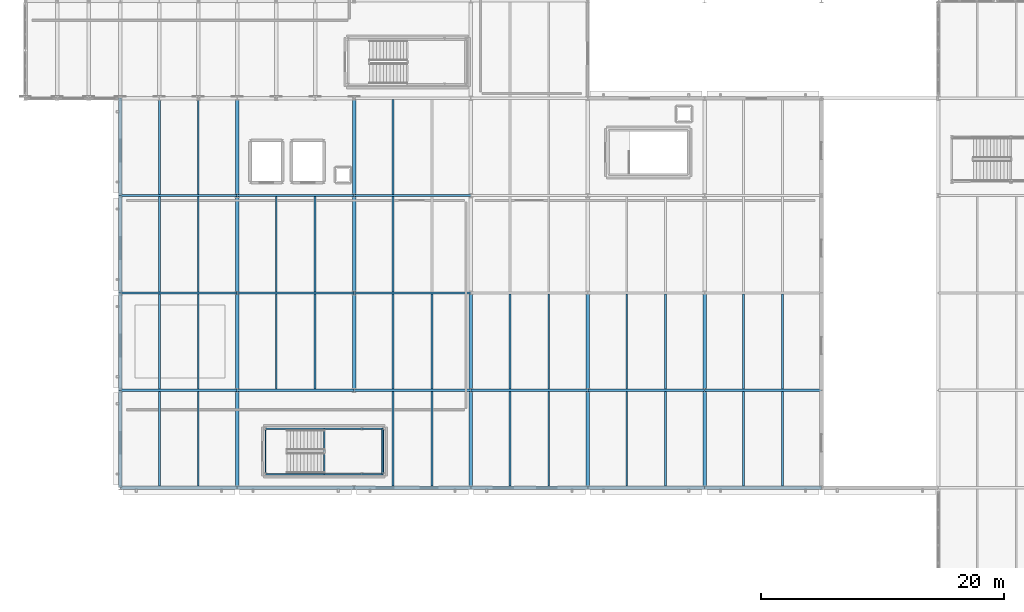
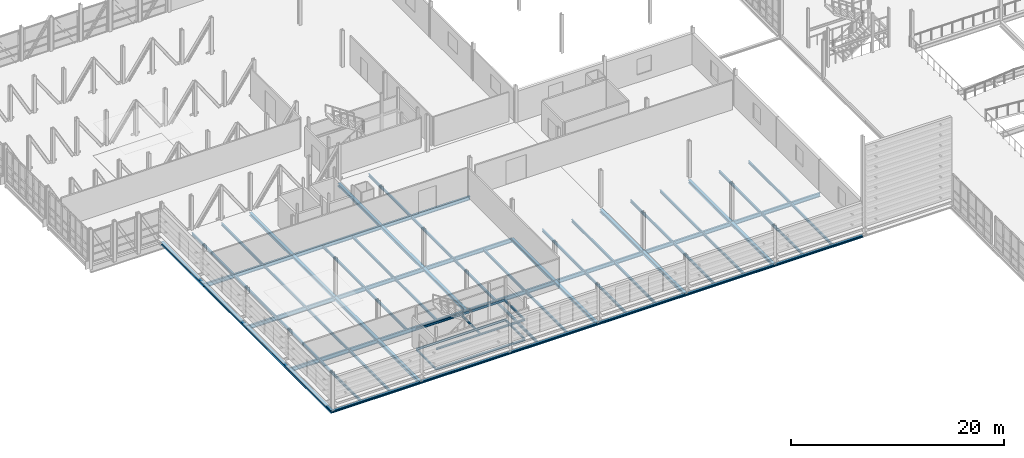
# One storey, part 18 of 73: 73 beams.
"""IFC4 building model written with IfcOpenShell, lengths in metres."""

from ifc_helpers import new_model, si_unit, direction, frame, origin, origin_2d, place, context, subcontext, project, spatial, i_section, extrude, material, material_profile, profile_set, type_object, element, save


model = new_model("IFC4")

# Units and contexts
model_context = context("Model", 3, precision=1e-05, world=origin(), true_north=direction((0.0, 1.0)))
body_context = subcontext(model_context, "Body", "Model", "MODEL_VIEW")
ifc_project = project(units=[si_unit("LENGTHUNIT", "METRE"), si_unit("AREAUNIT", "SQUARE_METRE"), si_unit("VOLUMEUNIT", "CUBIC_METRE"), si_unit("PLANEANGLEUNIT", "RADIAN"), si_unit("MASSUNIT", "GRAM", prefix="KILO")], contexts=[model_context])

# Site, building, storey
site_placement = place(None, origin())
site = spatial("IfcSite", under=ifc_project, at=site_placement, CompositionType="ELEMENT")
building_placement = place(site_placement, origin())
building = spatial("IfcBuilding", under=site, at=building_placement, Name="Alderhovde Museum", CompositionType="ELEMENT")
storey_placement = place(building_placement, frame((0.0, 0.0, 12.89990234375)))
storey = spatial("IfcBuildingStorey", under=building, at=storey_placement, Name="L03", CompositionType="ELEMENT", Elevation=12.89990234375)

# Beams
ifc_material_1 = material(Name="Steel S355J2", Category="steel")
ifc_material_profile_1 = material_profile(ifc_material_1, i_section(OverallWidth=0.300048828125, OverallDepth=0.330078125, WebThickness=0.009521484375, FlangeThickness=0.0166015625, FilletRadius=0.027099609375, at=origin_2d()), Name="HEA 340")
ifc_profile_set_1 = profile_set([ifc_material_profile_1], Name="Steel S355J2")
beam_type_1 = type_object("IfcBeamType", Name="BM-HEA340", PredefinedType="BEAM", material=ifc_profile_set_1)
for number, where, z_axis, x_axis, name in (
    (1, (9.60009765625, 48.0, -0.4248046875), (0.0, 1.0, 0.0), (-1.0, 0.0, 0.0), "L03 Grid Beam X=9.6 (48.0 TO 56.0)"),
    (2, (9.60009765625, 56.0, -0.4248046875), (0.0, 1.0, 0.0), (-1.0, 0.0, 0.0), "L03 Grid Beam X=9.6 (56.0 TO 64.0)"),
    (3, (9.60009765625, 64.0, -0.4248046875), (0.0, 1.0, 0.0), (-1.0, 0.0, 0.0), "L03 Grid Beam X=9.6 (64.0 TO 72.0)"),
    (4, (9.60009765625, 72.0, -0.4248046875), (0.0, 1.0, 0.0), (-1.0, 0.0, 0.0), "L03 Grid Beam X=9.6 (72.0 TO 80.0)"),
    (5, (19.199951171875, 48.0, -0.4248046875), (0.0, 1.0, 0.0), (-1.0, 0.0, 0.0), "L03 Grid Beam X=19.2 (48.0 TO 56.0)"),
    (6, (19.199951171875, 56.0, -0.4248046875), (0.0, 1.0, 0.0), (-1.0, 0.0, 0.0), "L03 Grid Beam X=19.2 (56.0 TO 64.0)"),
    (7, (19.199951171875, 64.0, -0.4248046875), (0.0, 1.0, 0.0), (-1.0, 0.0, 0.0), "L03 Grid Beam X=19.2 (64.0 TO 72.0)"),
    (8, (19.199951171875, 72.0, -0.4248046875), (0.0, 1.0, 0.0), (-1.0, 0.0, 0.0), "L03 Grid Beam X=19.2 (72.0 TO 80.0)"),
    (9, (28.800048828125, 56.0, -0.4248046875), (0.0, 1.0, 0.0), (-1.0, 0.0, 0.0), "L03 Grid Beam X=28.8 (56.0 TO 64.0)"),
    (10, (28.800048828125, 64.0, -0.4248046875), (0.0, 1.0, 0.0), (-1.0, 0.0, 0.0), "L03 Grid Beam X=28.8 (64.0 TO 72.0)"),
    (11, (28.800048828125, 72.0, -0.4248046875), (0.0, 1.0, 0.0), (-1.0, 0.0, 0.0), "L03 Grid Beam X=28.8 (72.0 TO 80.0)"),
    (12, (38.39990234375, 48.0, -0.4248046875), (0.0, 1.0, 0.0), (-1.0, 0.0, 0.0), "L03 Grid Beam X=38.4 (48.0 TO 56.0)"),
    (13, (38.39990234375, 56.0, -0.4248046875), (0.0, 1.0, 0.0), (-1.0, 0.0, 0.0), "L03 Grid Beam X=38.4 (56.0 TO 64.0)"),
    (14, (48.0, 48.0, -0.4248046875), (0.0, 1.0, 0.0), (-1.0, 0.0, 0.0), "L03 Grid Beam X=48.0 (48.0 TO 56.0)"),
    (15, (48.0, 56.0, -0.4248046875), (0.0, 1.0, 0.0), (-1.0, 0.0, 0.0), "L03 Grid Beam X=48.0 (56.0 TO 64.0)"),
    (16, (57.60009765625, 48.0, -0.4248046875), (0.0, 1.0, 0.0), (-1.0, 0.0, 0.0), "L03 Grid Beam X=57.6 (48.0 TO 56.0)"),
    (17, (57.60009765625, 56.0, -0.4248046875), (0.0, 1.0, 0.0), (-1.0, 0.0, 0.0), "L03 Grid Beam X=57.6 (56.0 TO 64.0)"),
):
    element("IfcBeam", number, at=place(storey_placement, frame(where, z_axis=z_axis, x_axis=x_axis)), inside=storey, type_object=beam_type_1, Name=name, PredefinedType="BEAM", context=body_context, shape_type="SweptSolid", body=[
        extrude(i_section(OverallWidth=0.300048828125, OverallDepth=0.330078125, WebThickness=0.009521484375, FlangeThickness=0.0166015625, FilletRadius=0.027099609375, at=origin_2d()), origin(), (0.0, 0.0, 1.0), 8.0),
    ])
ifc_material_2 = material(Name="Steel S355J2", Category="steel")
ifc_material_profile_2 = material_profile(ifc_material_2, i_section(OverallWidth=0.1201171875, OverallDepth=0.239990234375, WebThickness=0.006103515625, FlangeThickness=0.009765625, FilletRadius=0.014892578125, at=origin_2d()), Name="IPE 240")
ifc_profile_set_2 = profile_set([ifc_material_profile_2], Name="Steel S355J2")
beam_type_2 = type_object("IfcBeamType", Name="BM-IPE240", PredefinedType="BEAM", material=ifc_profile_set_2)
for number, where, z_axis, x_axis, name in (
    (18, (21.52001953125, 49.1201171875, -0.3798828125), (1.0, 0.0, 0.0), (0.0, 1.0, 0.0), "L03 Stair ST1 Floor Trimmer S"),
    (19, (21.52001953125, 52.840087890625, -0.3798828125), (1.0, 0.0, 0.0), (0.0, 1.0, 0.0), "L03 Stair ST1 Floor Trimmer N"),
):
    element("IfcBeam", number, at=place(storey_placement, frame(where, z_axis=z_axis, x_axis=x_axis)), inside=storey, type_object=beam_type_2, Name=name, PredefinedType="BEAM", context=body_context, shape_type="SweptSolid", body=[
        extrude(i_section(OverallWidth=0.1201171875, OverallDepth=0.239990234375, WebThickness=0.006103515625, FlangeThickness=0.009765625, FilletRadius=0.014892578125, at=origin_2d()), origin(), (0.0, 0.0, 1.0), 9.679931640625),
    ])
for number, where, z_axis, x_axis, name in (
    (20, (21.52001953125, 49.1201171875, -0.3798828125), (0.0, 1.0, 0.0), (-1.0, 0.0, 0.0), "L03 Stair ST1 Floor Trimmer W"),
    (21, (31.199951171875, 49.1201171875, -0.3798828125), (0.0, 1.0, 0.0), (-1.0, 0.0, 0.0), "L03 Stair ST1 Floor Trimmer E"),
):
    element("IfcBeam", number, at=place(storey_placement, frame(where, z_axis=z_axis, x_axis=x_axis)), inside=storey, type_object=beam_type_2, Name=name, PredefinedType="BEAM", context=body_context, shape_type="SweptSolid", body=[
        extrude(i_section(OverallWidth=0.1201171875, OverallDepth=0.239990234375, WebThickness=0.006103515625, FlangeThickness=0.009765625, FilletRadius=0.014892578125, at=origin_2d()), origin(), (0.0, 0.0, 1.0), 3.719970703125),
    ])
for number, where, z_axis, x_axis, name in (
    (22, (21.52001953125, 49.1201171875, 1.93017578125), (1.0, 0.0, 0.0), (0.0, 1.0, 0.0), "L03 Stair ST1 Landing 1 Beam S"),
    (23, (21.52001953125, 52.840087890625, 1.93017578125), (1.0, 0.0, 0.0), (0.0, 1.0, 0.0), "L03 Stair ST1 Landing 1 Beam N"),
):
    element("IfcBeam", number, at=place(storey_placement, frame(where, z_axis=z_axis, x_axis=x_axis)), inside=storey, type_object=beam_type_2, Name=name, PredefinedType="BEAM", context=body_context, shape_type="SweptSolid", body=[
        extrude(i_section(OverallWidth=0.1201171875, OverallDepth=0.239990234375, WebThickness=0.006103515625, FlangeThickness=0.009765625, FilletRadius=0.014892578125, at=origin_2d()), origin(), (0.0, 0.0, 1.0), 9.679931640625),
    ])
for number, where, z_axis, x_axis, name in (
    (24, (26.360107421875, 49.1201171875, 1.93017578125), (0.0, 1.0, 0.0), (-1.0, 0.0, 0.0), "L03 Stair ST1 Landing 1 Beam W"),
    (25, (31.1201171875, 49.1201171875, 1.93017578125), (0.0, 1.0, 0.0), (-1.0, 0.0, 0.0), "L03 Stair ST1 Landing 1 Beam E"),
):
    element("IfcBeam", number, at=place(storey_placement, frame(where, z_axis=z_axis, x_axis=x_axis)), inside=storey, type_object=beam_type_2, Name=name, PredefinedType="BEAM", context=body_context, shape_type="SweptSolid", body=[
        extrude(i_section(OverallWidth=0.1201171875, OverallDepth=0.239990234375, WebThickness=0.006103515625, FlangeThickness=0.009765625, FilletRadius=0.014892578125, at=origin_2d()), origin(), (0.0, 0.0, 1.0), 3.719970703125),
    ])
ifc_material_3 = material(Name="Steel S355J2", Category="steel")
ifc_material_profile_3 = material_profile(ifc_material_3, i_section(OverallWidth=0.18994140625, OverallDepth=0.449951171875, WebThickness=0.009521484375, FlangeThickness=0.0146484375, FilletRadius=0.02099609375, at=origin_2d()), Name="IPE 450")
ifc_profile_set_3 = profile_set([ifc_material_profile_3], Name="Steel S355J2")
beam_type_3 = type_object("IfcBeamType", Name="BM-IPE450", PredefinedType="BEAM", material=ifc_profile_set_3)
beam_1_placement = place(storey_placement, frame((9.60009765625, 56.0, -0.48486328125), z_axis=(1.0, 0.0, 0.0), x_axis=(0.0, 1.0, 0.0)))
element("IfcBeam", 26, at=beam_1_placement, inside=storey, type_object=beam_type_3, Name="L03 Grid Beam Y=56.0 (9.6 TO 19.2)", PredefinedType="BEAM", context=body_context, shape_type="SweptSolid", body=[
    extrude(i_section(OverallWidth=0.18994140625, OverallDepth=0.449951171875, WebThickness=0.009521484375, FlangeThickness=0.0146484375, FilletRadius=0.02099609375, at=origin_2d()), origin(), (0.0, 0.0, 1.0), 9.599853515625),
])
beam_2_placement = place(storey_placement, frame((19.199951171875, 56.0, -0.48486328125), z_axis=(1.0, 0.0, 0.0), x_axis=(0.0, 1.0, 0.0)))
element("IfcBeam", 27, at=beam_2_placement, inside=storey, type_object=beam_type_3, Name="L03 Grid Beam Y=56.0 (19.2 TO 28.8)", PredefinedType="BEAM", context=body_context, shape_type="SweptSolid", body=[
    extrude(i_section(OverallWidth=0.18994140625, OverallDepth=0.449951171875, WebThickness=0.009521484375, FlangeThickness=0.0146484375, FilletRadius=0.02099609375, at=origin_2d()), origin(), (0.0, 0.0, 1.0), 9.60009765625),
])
beam_3_placement = place(storey_placement, frame((28.800048828125, 56.0, -0.48486328125), z_axis=(1.0, 0.0, 0.0), x_axis=(0.0, 1.0, 0.0)))
element("IfcBeam", 28, at=beam_3_placement, inside=storey, type_object=beam_type_3, Name="L03 Grid Beam Y=56.0 (28.8 TO 38.4)", PredefinedType="BEAM", context=body_context, shape_type="SweptSolid", body=[
    extrude(i_section(OverallWidth=0.18994140625, OverallDepth=0.449951171875, WebThickness=0.009521484375, FlangeThickness=0.0146484375, FilletRadius=0.02099609375, at=origin_2d()), origin(), (0.0, 0.0, 1.0), 9.599853515625),
])
for number, where, z_axis, x_axis, name in (
    (29, (38.39990234375, 56.0, -0.48486328125), (1.0, 0.0, 0.0), (0.0, 1.0, 0.0), "L03 Grid Beam Y=56.0 (38.4 TO 48.0)"),
    (30, (48.0, 56.0, -0.48486328125), (1.0, 0.0, 0.0), (0.0, 1.0, 0.0), "L03 Grid Beam Y=56.0 (48.0 TO 57.6)"),
):
    element("IfcBeam", number, at=place(storey_placement, frame(where, z_axis=z_axis, x_axis=x_axis)), inside=storey, type_object=beam_type_3, Name=name, PredefinedType="BEAM", context=body_context, shape_type="SweptSolid", body=[
        extrude(i_section(OverallWidth=0.18994140625, OverallDepth=0.449951171875, WebThickness=0.009521484375, FlangeThickness=0.0146484375, FilletRadius=0.02099609375, at=origin_2d()), origin(), (0.0, 0.0, 1.0), 9.60009765625),
    ])
for number, where, z_axis, x_axis, name in (
    (31, (57.60009765625, 56.0, -0.48486328125), (1.0, 0.0, 0.0), (0.0, 1.0, 0.0), "L03 Grid Beam Y=56.0 (57.6 TO 67.2)"),
    (32, (9.60009765625, 64.0, -0.48486328125), (1.0, 0.0, 0.0), (0.0, 1.0, 0.0), "L03 Grid Beam Y=64.0 (9.6 TO 19.2)"),
):
    element("IfcBeam", number, at=place(storey_placement, frame(where, z_axis=z_axis, x_axis=x_axis)), inside=storey, type_object=beam_type_3, Name=name, PredefinedType="BEAM", context=body_context, shape_type="SweptSolid", body=[
        extrude(i_section(OverallWidth=0.18994140625, OverallDepth=0.449951171875, WebThickness=0.009521484375, FlangeThickness=0.0146484375, FilletRadius=0.02099609375, at=origin_2d()), origin(), (0.0, 0.0, 1.0), 9.599853515625),
    ])
beam_4_placement = place(storey_placement, frame((19.199951171875, 64.0, -0.48486328125), z_axis=(1.0, 0.0, 0.0), x_axis=(0.0, 1.0, 0.0)))
element("IfcBeam", 33, at=beam_4_placement, inside=storey, type_object=beam_type_3, Name="L03 Grid Beam Y=64.0 (19.2 TO 28.8)", PredefinedType="BEAM", context=body_context, shape_type="SweptSolid", body=[
    extrude(i_section(OverallWidth=0.18994140625, OverallDepth=0.449951171875, WebThickness=0.009521484375, FlangeThickness=0.0146484375, FilletRadius=0.02099609375, at=origin_2d()), origin(), (0.0, 0.0, 1.0), 9.60009765625),
])
for number, where, z_axis, x_axis, name in (
    (34, (28.800048828125, 64.0, -0.48486328125), (1.0, 0.0, 0.0), (0.0, 1.0, 0.0), "L03 Grid Beam Y=64.0 (28.8 TO 38.4)"),
    (35, (9.60009765625, 72.0, -0.48486328125), (1.0, 0.0, 0.0), (0.0, 1.0, 0.0), "L03 Grid Beam Y=72.0 (9.6 TO 19.2)"),
):
    element("IfcBeam", number, at=place(storey_placement, frame(where, z_axis=z_axis, x_axis=x_axis)), inside=storey, type_object=beam_type_3, Name=name, PredefinedType="BEAM", context=body_context, shape_type="SweptSolid", body=[
        extrude(i_section(OverallWidth=0.18994140625, OverallDepth=0.449951171875, WebThickness=0.009521484375, FlangeThickness=0.0146484375, FilletRadius=0.02099609375, at=origin_2d()), origin(), (0.0, 0.0, 1.0), 9.599853515625),
    ])
beam_5_placement = place(storey_placement, frame((19.199951171875, 72.0, -0.48486328125), z_axis=(1.0, 0.0, 0.0), x_axis=(0.0, 1.0, 0.0)))
element("IfcBeam", 36, at=beam_5_placement, inside=storey, type_object=beam_type_3, Name="L03 Grid Beam Y=72.0 (19.2 TO 28.8)", PredefinedType="BEAM", context=body_context, shape_type="SweptSolid", body=[
    extrude(i_section(OverallWidth=0.18994140625, OverallDepth=0.449951171875, WebThickness=0.009521484375, FlangeThickness=0.0146484375, FilletRadius=0.02099609375, at=origin_2d()), origin(), (0.0, 0.0, 1.0), 9.60009765625),
])
beam_6_placement = place(storey_placement, frame((28.800048828125, 72.0, -0.48486328125), z_axis=(1.0, 0.0, 0.0), x_axis=(0.0, 1.0, 0.0)))
element("IfcBeam", 37, at=beam_6_placement, inside=storey, type_object=beam_type_3, Name="L03 Grid Beam Y=72.0 (28.8 TO 38.4)", PredefinedType="BEAM", context=body_context, shape_type="SweptSolid", body=[
    extrude(i_section(OverallWidth=0.18994140625, OverallDepth=0.449951171875, WebThickness=0.009521484375, FlangeThickness=0.0146484375, FilletRadius=0.02099609375, at=origin_2d()), origin(), (0.0, 0.0, 1.0), 9.599853515625),
])
ifc_material_4 = material(Name="Steel S355J2", Category="steel")
ifc_material_profile_4 = material_profile(ifc_material_4, i_section(OverallWidth=0.14990234375, OverallDepth=0.300048828125, WebThickness=0.007080078125, FlangeThickness=0.0107421875, FilletRadius=0.014892578125, at=origin_2d()), Name="IPE 300")
ifc_profile_set_4 = profile_set([ifc_material_profile_4], Name="Steel S355J2")
beam_type_4 = type_object("IfcBeamType", Name="JST-IPE300", PredefinedType="JOIST", material=ifc_profile_set_4)
for number, where, z_axis, x_axis, name in (
    (38, (12.800048828125, 48.1298828125, -0.409912109375), (0.0, 1.0, 0.0), (-1.0, 0.0, 0.0), "L03 Composite Joist X=12.8 (48.0 TO 56.0)"),
    (39, (16.0, 48.1298828125, -0.409912109375), (0.0, 1.0, 0.0), (-1.0, 0.0, 0.0), "L03 Composite Joist X=16.0 (48.0 TO 56.0)"),
):
    element("IfcBeam", number, at=place(storey_placement, frame(where, z_axis=z_axis, x_axis=x_axis)), inside=storey, type_object=beam_type_4, Name=name, PredefinedType="JOIST", context=body_context, shape_type="SweptSolid", body=[
        extrude(i_section(OverallWidth=0.14990234375, OverallDepth=0.300048828125, WebThickness=0.007080078125, FlangeThickness=0.0107421875, FilletRadius=0.014892578125, at=origin_2d()), origin(), (0.0, 0.0, 1.0), 7.775146484375),
    ])
for number, where, z_axis, x_axis, name in (
    (40, (12.800048828125, 56.094970703125, -0.409912109375), (0.0, 1.0, 0.0), (-1.0, 0.0, 0.0), "L03 Composite Joist X=12.8 (56.0 TO 64.0)"),
    (41, (16.0, 56.094970703125, -0.409912109375), (0.0, 1.0, 0.0), (-1.0, 0.0, 0.0), "L03 Composite Joist X=16.0 (56.0 TO 64.0)"),
    (42, (12.800048828125, 64.094970703125, -0.409912109375), (0.0, 1.0, 0.0), (-1.0, 0.0, 0.0), "L03 Composite Joist X=12.8 (64.0 TO 72.0)"),
    (43, (16.0, 64.094970703125, -0.409912109375), (0.0, 1.0, 0.0), (-1.0, 0.0, 0.0), "L03 Composite Joist X=16.0 (64.0 TO 72.0)"),
):
    element("IfcBeam", number, at=place(storey_placement, frame(where, z_axis=z_axis, x_axis=x_axis)), inside=storey, type_object=beam_type_4, Name=name, PredefinedType="JOIST", context=body_context, shape_type="SweptSolid", body=[
        extrude(i_section(OverallWidth=0.14990234375, OverallDepth=0.300048828125, WebThickness=0.007080078125, FlangeThickness=0.0107421875, FilletRadius=0.014892578125, at=origin_2d()), origin(), (0.0, 0.0, 1.0), 7.81005859375),
    ])
for number, where, z_axis, x_axis, name in (
    (44, (12.800048828125, 72.094970703125, -0.409912109375), (0.0, 1.0, 0.0), (-1.0, 0.0, 0.0), "L03 Composite Joist X=12.8 (72.0 TO 80.0)"),
    (45, (16.0, 72.094970703125, -0.409912109375), (0.0, 1.0, 0.0), (-1.0, 0.0, 0.0), "L03 Composite Joist X=16.0 (72.0 TO 80.0)"),
):
    element("IfcBeam", number, at=place(storey_placement, frame(where, z_axis=z_axis, x_axis=x_axis)), inside=storey, type_object=beam_type_4, Name=name, PredefinedType="JOIST", context=body_context, shape_type="SweptSolid", body=[
        extrude(i_section(OverallWidth=0.14990234375, OverallDepth=0.300048828125, WebThickness=0.007080078125, FlangeThickness=0.0107421875, FilletRadius=0.014892578125, at=origin_2d()), origin(), (0.0, 0.0, 1.0), 7.755126953125),
    ])
for number, where, z_axis, x_axis, name in (
    (46, (22.39990234375, 56.094970703125, -0.409912109375), (0.0, 1.0, 0.0), (-1.0, 0.0, 0.0), "L03 Composite Joist X=22.4 (56.0 TO 64.0)"),
    (47, (25.60009765625, 56.094970703125, -0.409912109375), (0.0, 1.0, 0.0), (-1.0, 0.0, 0.0), "L03 Composite Joist X=25.6 (56.0 TO 64.0)"),
    (48, (22.39990234375, 64.094970703125, -0.409912109375), (0.0, 1.0, 0.0), (-1.0, 0.0, 0.0), "L03 Composite Joist X=22.4 (64.0 TO 72.0)"),
    (49, (25.60009765625, 64.094970703125, -0.409912109375), (0.0, 1.0, 0.0), (-1.0, 0.0, 0.0), "L03 Composite Joist X=25.6 (64.0 TO 72.0)"),
):
    element("IfcBeam", number, at=place(storey_placement, frame(where, z_axis=z_axis, x_axis=x_axis)), inside=storey, type_object=beam_type_4, Name=name, PredefinedType="JOIST", context=body_context, shape_type="SweptSolid", body=[
        extrude(i_section(OverallWidth=0.14990234375, OverallDepth=0.300048828125, WebThickness=0.007080078125, FlangeThickness=0.0107421875, FilletRadius=0.014892578125, at=origin_2d()), origin(), (0.0, 0.0, 1.0), 7.81005859375),
    ])
for number, where, z_axis, x_axis, name in (
    (50, (32.0, 48.1298828125, -0.409912109375), (0.0, 1.0, 0.0), (-1.0, 0.0, 0.0), "L03 Composite Joist X=32.0 (48.0 TO 56.0)"),
    (51, (35.199951171875, 48.1298828125, -0.409912109375), (0.0, 1.0, 0.0), (-1.0, 0.0, 0.0), "L03 Composite Joist X=35.2 (48.0 TO 56.0)"),
):
    element("IfcBeam", number, at=place(storey_placement, frame(where, z_axis=z_axis, x_axis=x_axis)), inside=storey, type_object=beam_type_4, Name=name, PredefinedType="JOIST", context=body_context, shape_type="SweptSolid", body=[
        extrude(i_section(OverallWidth=0.14990234375, OverallDepth=0.300048828125, WebThickness=0.007080078125, FlangeThickness=0.0107421875, FilletRadius=0.014892578125, at=origin_2d()), origin(), (0.0, 0.0, 1.0), 7.775146484375),
    ])
for number, where, z_axis, x_axis, name in (
    (52, (32.0, 56.094970703125, -0.409912109375), (0.0, 1.0, 0.0), (-1.0, 0.0, 0.0), "L03 Composite Joist X=32.0 (56.0 TO 64.0)"),
    (53, (35.199951171875, 56.094970703125, -0.409912109375), (0.0, 1.0, 0.0), (-1.0, 0.0, 0.0), "L03 Composite Joist X=35.2 (56.0 TO 64.0)"),
    (54, (32.0, 64.094970703125, -0.409912109375), (0.0, 1.0, 0.0), (-1.0, 0.0, 0.0), "L03 Composite Joist X=32.0 (64.0 TO 72.0)"),
    (55, (32.0, 72.094970703125, -0.409912109375), (0.0, 1.0, 0.0), (-1.0, 0.0, 0.0), "L03 Composite Joist X=32.0 (72.0 TO 80.0)"),
):
    element("IfcBeam", number, at=place(storey_placement, frame(where, z_axis=z_axis, x_axis=x_axis)), inside=storey, type_object=beam_type_4, Name=name, PredefinedType="JOIST", context=body_context, shape_type="SweptSolid", body=[
        extrude(i_section(OverallWidth=0.14990234375, OverallDepth=0.300048828125, WebThickness=0.007080078125, FlangeThickness=0.0107421875, FilletRadius=0.014892578125, at=origin_2d()), origin(), (0.0, 0.0, 1.0), 7.81005859375),
    ])
for number, where, z_axis, x_axis, name in (
    (56, (41.60009765625, 48.1298828125, -0.409912109375), (0.0, 1.0, 0.0), (-1.0, 0.0, 0.0), "L03 Composite Joist X=41.6 (48.0 TO 56.0)"),
    (57, (44.800048828125, 48.1298828125, -0.409912109375), (0.0, 1.0, 0.0), (-1.0, 0.0, 0.0), "L03 Composite Joist X=44.8 (48.0 TO 56.0)"),
):
    element("IfcBeam", number, at=place(storey_placement, frame(where, z_axis=z_axis, x_axis=x_axis)), inside=storey, type_object=beam_type_4, Name=name, PredefinedType="JOIST", context=body_context, shape_type="SweptSolid", body=[
        extrude(i_section(OverallWidth=0.14990234375, OverallDepth=0.300048828125, WebThickness=0.007080078125, FlangeThickness=0.0107421875, FilletRadius=0.014892578125, at=origin_2d()), origin(), (0.0, 0.0, 1.0), 7.775146484375),
    ])
for number, where, z_axis, x_axis, name in (
    (58, (41.60009765625, 56.094970703125, -0.409912109375), (0.0, 1.0, 0.0), (-1.0, 0.0, 0.0), "L03 Composite Joist X=41.6 (56.0 TO 64.0)"),
    (59, (44.800048828125, 56.094970703125, -0.409912109375), (0.0, 1.0, 0.0), (-1.0, 0.0, 0.0), "L03 Composite Joist X=44.8 (56.0 TO 64.0)"),
):
    element("IfcBeam", number, at=place(storey_placement, frame(where, z_axis=z_axis, x_axis=x_axis)), inside=storey, type_object=beam_type_4, Name=name, PredefinedType="JOIST", context=body_context, shape_type="SweptSolid", body=[
        extrude(i_section(OverallWidth=0.14990234375, OverallDepth=0.300048828125, WebThickness=0.007080078125, FlangeThickness=0.0107421875, FilletRadius=0.014892578125, at=origin_2d()), origin(), (0.0, 0.0, 1.0), 7.81005859375),
    ])
for number, where, z_axis, x_axis, name in (
    (60, (51.199951171875, 48.1298828125, -0.409912109375), (0.0, 1.0, 0.0), (-1.0, 0.0, 0.0), "L03 Composite Joist X=51.2 (48.0 TO 56.0)"),
    (61, (54.39990234375, 48.1298828125, -0.409912109375), (0.0, 1.0, 0.0), (-1.0, 0.0, 0.0), "L03 Composite Joist X=54.4 (48.0 TO 56.0)"),
):
    element("IfcBeam", number, at=place(storey_placement, frame(where, z_axis=z_axis, x_axis=x_axis)), inside=storey, type_object=beam_type_4, Name=name, PredefinedType="JOIST", context=body_context, shape_type="SweptSolid", body=[
        extrude(i_section(OverallWidth=0.14990234375, OverallDepth=0.300048828125, WebThickness=0.007080078125, FlangeThickness=0.0107421875, FilletRadius=0.014892578125, at=origin_2d()), origin(), (0.0, 0.0, 1.0), 7.775146484375),
    ])
for number, where, z_axis, x_axis, name in (
    (62, (51.199951171875, 56.094970703125, -0.409912109375), (0.0, 1.0, 0.0), (-1.0, 0.0, 0.0), "L03 Composite Joist X=51.2 (56.0 TO 64.0)"),
    (63, (54.39990234375, 56.094970703125, -0.409912109375), (0.0, 1.0, 0.0), (-1.0, 0.0, 0.0), "L03 Composite Joist X=54.4 (56.0 TO 64.0)"),
):
    element("IfcBeam", number, at=place(storey_placement, frame(where, z_axis=z_axis, x_axis=x_axis)), inside=storey, type_object=beam_type_4, Name=name, PredefinedType="JOIST", context=body_context, shape_type="SweptSolid", body=[
        extrude(i_section(OverallWidth=0.14990234375, OverallDepth=0.300048828125, WebThickness=0.007080078125, FlangeThickness=0.0107421875, FilletRadius=0.014892578125, at=origin_2d()), origin(), (0.0, 0.0, 1.0), 7.81005859375),
    ])
for number, where, z_axis, x_axis, name in (
    (64, (60.800048828125, 48.1298828125, -0.409912109375), (0.0, 1.0, 0.0), (-1.0, 0.0, 0.0), "L03 Composite Joist X=60.8 (48.0 TO 56.0)"),
    (65, (64.0, 48.1298828125, -0.409912109375), (0.0, 1.0, 0.0), (-1.0, 0.0, 0.0), "L03 Composite Joist X=64.0 (48.0 TO 56.0)"),
):
    element("IfcBeam", number, at=place(storey_placement, frame(where, z_axis=z_axis, x_axis=x_axis)), inside=storey, type_object=beam_type_4, Name=name, PredefinedType="JOIST", context=body_context, shape_type="SweptSolid", body=[
        extrude(i_section(OverallWidth=0.14990234375, OverallDepth=0.300048828125, WebThickness=0.007080078125, FlangeThickness=0.0107421875, FilletRadius=0.014892578125, at=origin_2d()), origin(), (0.0, 0.0, 1.0), 7.775146484375),
    ])
for number, where, z_axis, x_axis, name in (
    (66, (60.800048828125, 56.094970703125, -0.409912109375), (0.0, 1.0, 0.0), (-1.0, 0.0, 0.0), "L03 Composite Joist X=60.8 (56.0 TO 64.0)"),
    (67, (64.0, 56.094970703125, -0.409912109375), (0.0, 1.0, 0.0), (-1.0, 0.0, 0.0), "L03 Composite Joist X=64.0 (56.0 TO 64.0)"),
):
    element("IfcBeam", number, at=place(storey_placement, frame(where, z_axis=z_axis, x_axis=x_axis)), inside=storey, type_object=beam_type_4, Name=name, PredefinedType="JOIST", context=body_context, shape_type="SweptSolid", body=[
        extrude(i_section(OverallWidth=0.14990234375, OverallDepth=0.300048828125, WebThickness=0.007080078125, FlangeThickness=0.0107421875, FilletRadius=0.014892578125, at=origin_2d()), origin(), (0.0, 0.0, 1.0), 7.81005859375),
    ])
ifc_material_5 = material(Name="Steel S355J2", Category="steel")
ifc_material_profile_5 = material_profile(ifc_material_5, i_section(OverallWidth=0.260009765625, OverallDepth=0.25, WebThickness=0.007568359375, FlangeThickness=0.012451171875, FilletRadius=0.02392578125, at=origin_2d()), Name="HEA 260")
ifc_profile_set_5 = profile_set([ifc_material_profile_5], Name="Steel S355J2")
beam_type_5 = type_object("IfcBeamType", Name="SPD-HEA260", PredefinedType="SPANDREL", material=ifc_profile_set_5)
beam_7_placement = place(storey_placement, frame((9.60009765625, 48.0, -0.385009765625), z_axis=(1.0, 0.0, 0.0), x_axis=(0.0, 1.0, 0.0)))
element("IfcBeam", 68, at=beam_7_placement, inside=storey, type_object=beam_type_5, Name="L03 Grid Beam Y=48.0 (9.6 TO 19.2)", PredefinedType="SPANDREL", context=body_context, shape_type="SweptSolid", body=[
    extrude(i_section(OverallWidth=0.260009765625, OverallDepth=0.25, WebThickness=0.007568359375, FlangeThickness=0.012451171875, FilletRadius=0.02392578125, at=origin_2d()), origin(), (0.0, 0.0, 1.0), 9.599853515625),
])
beam_8_placement = place(storey_placement, frame((19.199951171875, 48.0, -0.385009765625), z_axis=(1.0, 0.0, 0.0), x_axis=(0.0, 1.0, 0.0)))
element("IfcBeam", 69, at=beam_8_placement, inside=storey, type_object=beam_type_5, Name="L03 Grid Beam Y=48.0 (19.2 TO 28.8)", PredefinedType="SPANDREL", context=body_context, shape_type="SweptSolid", body=[
    extrude(i_section(OverallWidth=0.260009765625, OverallDepth=0.25, WebThickness=0.007568359375, FlangeThickness=0.012451171875, FilletRadius=0.02392578125, at=origin_2d()), origin(), (0.0, 0.0, 1.0), 9.60009765625),
])
beam_9_placement = place(storey_placement, frame((28.800048828125, 48.0, -0.385009765625), z_axis=(1.0, 0.0, 0.0), x_axis=(0.0, 1.0, 0.0)))
element("IfcBeam", 70, at=beam_9_placement, inside=storey, type_object=beam_type_5, Name="L03 Grid Beam Y=48.0 (28.8 TO 38.4)", PredefinedType="SPANDREL", context=body_context, shape_type="SweptSolid", body=[
    extrude(i_section(OverallWidth=0.260009765625, OverallDepth=0.25, WebThickness=0.007568359375, FlangeThickness=0.012451171875, FilletRadius=0.02392578125, at=origin_2d()), origin(), (0.0, 0.0, 1.0), 9.599853515625),
])
for number, where, z_axis, x_axis, name in (
    (71, (38.39990234375, 48.0, -0.385009765625), (1.0, 0.0, 0.0), (0.0, 1.0, 0.0), "L03 Grid Beam Y=48.0 (38.4 TO 48.0)"),
    (72, (48.0, 48.0, -0.385009765625), (1.0, 0.0, 0.0), (0.0, 1.0, 0.0), "L03 Grid Beam Y=48.0 (48.0 TO 57.6)"),
):
    element("IfcBeam", number, at=place(storey_placement, frame(where, z_axis=z_axis, x_axis=x_axis)), inside=storey, type_object=beam_type_5, Name=name, PredefinedType="SPANDREL", context=body_context, shape_type="SweptSolid", body=[
        extrude(i_section(OverallWidth=0.260009765625, OverallDepth=0.25, WebThickness=0.007568359375, FlangeThickness=0.012451171875, FilletRadius=0.02392578125, at=origin_2d()), origin(), (0.0, 0.0, 1.0), 9.60009765625),
    ])
beam_10_placement = place(storey_placement, frame((57.60009765625, 48.0, -0.385009765625), z_axis=(1.0, 0.0, 0.0), x_axis=(0.0, 1.0, 0.0)))
element("IfcBeam", 73, at=beam_10_placement, inside=storey, type_object=beam_type_5, Name="L03 Grid Beam Y=48.0 (57.6 TO 67.2)", PredefinedType="SPANDREL", context=body_context, shape_type="SweptSolid", body=[
    extrude(i_section(OverallWidth=0.260009765625, OverallDepth=0.25, WebThickness=0.007568359375, FlangeThickness=0.012451171875, FilletRadius=0.02392578125, at=origin_2d()), origin(), (0.0, 0.0, 1.0), 9.599853515625),
])

save(model, "model.ifc")
